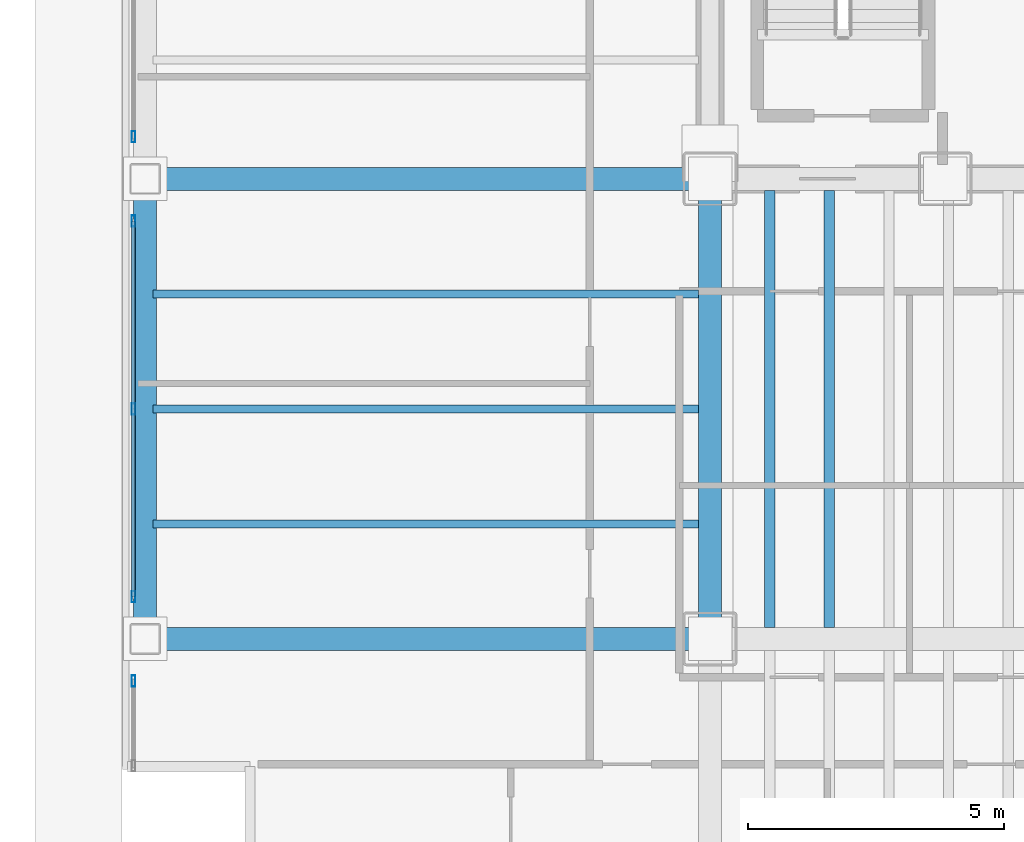
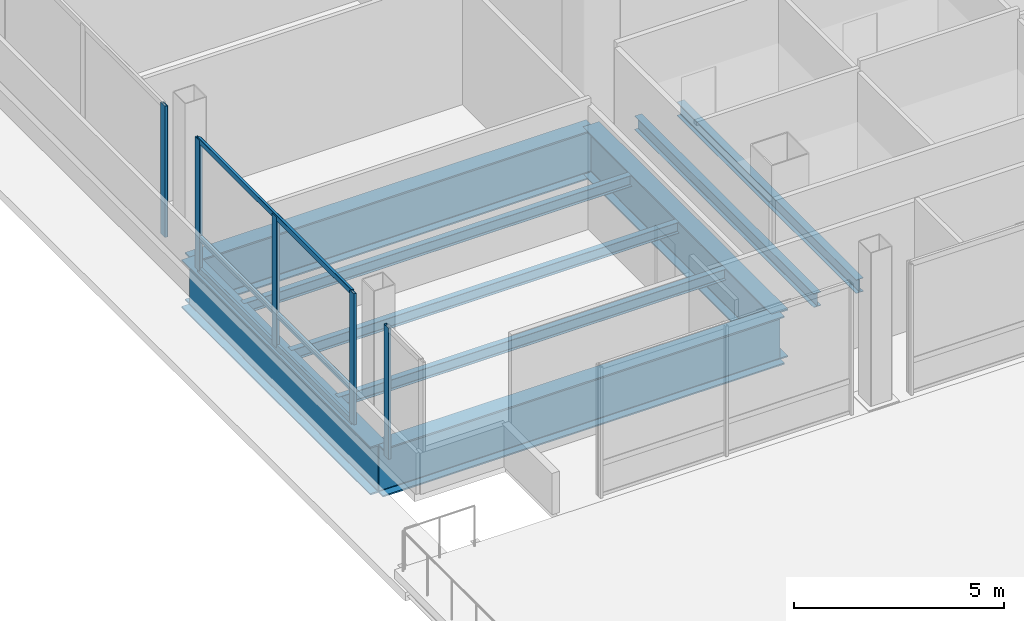
# One storey, part 8 of 34: 9 beams, 8 members, 3 elements without a shape of their own.
"""IFC4 building model written with IfcOpenShell, lengths in metres."""

from ifc_helpers import new_model, si_unit, direction, frame, origin, origin_2d, place, context, subcontext, project, spatial, hollow_rectangle, i_section, extrude, material, material_profile, profile_set, type_object, element, aggregate, save


model = new_model("IFC4")

# Units and contexts
model_context = context("Model", 3, precision=1e-05, world=origin(), true_north=direction((0.0, 1.0)))
body_context = subcontext(model_context, "Body", "Model", "MODEL_VIEW")
ifc_project = project(units=[si_unit("LENGTHUNIT", "METRE"), si_unit("AREAUNIT", "SQUARE_METRE"), si_unit("VOLUMEUNIT", "CUBIC_METRE"), si_unit("PLANEANGLEUNIT", "RADIAN"), si_unit("MASSUNIT", "GRAM", prefix="KILO")], contexts=[model_context])

# Site, building, storey
site_placement = place(None, origin())
site = spatial("IfcSite", under=ifc_project, at=site_placement, CompositionType="ELEMENT")
building_placement = place(site_placement, origin())
building = spatial("IfcBuilding", under=site, at=building_placement, Name="Noeulbin Bourse Tower", CompositionType="ELEMENT")
storey_placement = place(building_placement, frame((0.0, 0.0, 22.0)))
storey = spatial("IfcBuildingStorey", under=building, at=storey_placement, Name="L05", CompositionType="ELEMENT", Elevation=22.0)

# Beams
ifc_material_1 = material(Name="Steel S355", Category="steel")
ifc_material_profile_1 = material_profile(ifc_material_1, i_section(OverallWidth=0.159912109375, OverallDepth=0.320068359375, WebThickness=0.006591796875, FlangeThickness=0.010009765625, FilletRadius=0.012939453125, at=origin_2d()), Name="H-320x160x6.5x10", Category="LoadBearing")
ifc_profile_set_1 = profile_set([ifc_material_profile_1], Name="Steel S355")
beam_type_1 = type_object("IfcBeamType", Name="BM-JST-320", PredefinedType="JOIST", material=ifc_profile_set_1)
for number, where, z_axis, x_axis, name in (
    (1, (2.60009765625, 22.25, -0.39990234375), (1.0, 0.0, 0.0), (0.0, 1.0, 0.0), "Wing Composite Joist L05-W70"),
    (2, (2.60009765625, 24.5, -0.39990234375), (1.0, 0.0, 0.0), (0.0, 1.0, 0.0), "Wing Composite Joist L05-W71"),
    (3, (2.60009765625, 26.75, -0.39990234375), (1.0, 0.0, 0.0), (0.0, 1.0, 0.0), "Wing Composite Joist L05-W72"),
):
    element("IfcBeam", number, at=place(storey_placement, frame(where, z_axis=z_axis, x_axis=x_axis)), inside=storey, type_object=beam_type_1, Name=name, PredefinedType="JOIST", context=body_context, shape_type="SweptSolid", body=[
        extrude(i_section(OverallWidth=0.159912109375, OverallDepth=0.320068359375, WebThickness=0.006591796875, FlangeThickness=0.010009765625, FilletRadius=0.012939453125, at=origin_2d()), origin(), (0.0, 0.0, 1.0), 10.6748046875),
    ])
ifc_material_profile_2 = material_profile(ifc_material_1, i_section(OverallWidth=0.199951171875, OverallDepth=0.39990234375, WebThickness=0.008056640625, FlangeThickness=0.012939453125, FilletRadius=0.01611328125, at=origin_2d()), Name="H-400x200x8x13", Category="LoadBearing")
ifc_profile_set_2 = profile_set([ifc_material_profile_2], Name="Steel S355")
beam_type_2 = type_object("IfcBeamType", Name="BM-SEC-400", PredefinedType="BEAM", material=ifc_profile_set_2)
for number, where, z_axis, x_axis, name in (
    (4, (14.666748046875, 20.22509765625, -0.43994140625), (0.0, 1.0, 0.0), (-1.0, 0.0, 0.0), "Tower Composite Joist L05-02"),
    (5, (15.833251953125, 20.22509765625, -0.43994140625), (0.0, 1.0, 0.0), (-1.0, 0.0, 0.0), "Tower Composite Joist L05-05"),
):
    element("IfcBeam", number, at=place(storey_placement, frame(where, z_axis=z_axis, x_axis=x_axis)), inside=storey, type_object=beam_type_2, Name=name, PredefinedType="BEAM", context=body_context, shape_type="SweptSolid", body=[
        extrude(i_section(OverallWidth=0.199951171875, OverallDepth=0.39990234375, WebThickness=0.008056640625, FlangeThickness=0.012939453125, FilletRadius=0.01611328125, at=origin_2d()), origin(), (0.0, 0.0, 1.0), 8.5498046875),
    ])
ifc_material_2 = material(Name="Steel S460", Category="steel")
ifc_material_profile_3 = material_profile(ifc_material_2, i_section(OverallWidth=0.449951171875, OverallDepth=1.39990234375, WebThickness=0.02392578125, FlangeThickness=0.0400390625, FilletRadius=0.02392578125, at=origin_2d()), Name="PG-1400x450x24x40", Category="LoadBearing")
ifc_profile_set_3 = profile_set([ifc_material_profile_3], Name="Steel S460")
beam_type_3 = type_object("IfcBeamType", Name="BM-TRF-1400", PredefinedType="USERDEFINED", material=ifc_profile_set_3)
for number, where, z_axis, x_axis, name in (
    (6, (2.449951171875, 20.0, -0.93994140625), (1.0, 0.0, 0.0), (0.0, 1.0, 0.0), "Tower Primary Girder EW L05-1.1"),
    (7, (2.449951171875, 29.0, -0.93994140625), (1.0, 0.0, 0.0), (0.0, 1.0, 0.0), "Tower Primary Girder EW L05-2.1"),
):
    element("IfcBeam", number, at=place(storey_placement, frame(where, z_axis=z_axis, x_axis=x_axis)), inside=storey, type_object=beam_type_3, Name=name, ObjectType="GIRDER", PredefinedType="USERDEFINED", context=body_context, shape_type="SweptSolid", body=[
        extrude(i_section(OverallWidth=0.449951171875, OverallDepth=1.39990234375, WebThickness=0.02392578125, FlangeThickness=0.0400390625, FilletRadius=0.02392578125, at=origin_2d()), origin(), (0.0, 0.0, 1.0), 11.050048828125),
    ])
for number, where, z_axis, x_axis, name in (
    (8, (13.5, 20.0, -0.93994140625), (0.0, 1.0, 0.0), (-1.0, 0.0, 0.0), "Tower Primary Girder NS L05-1.2"),
    (9, (2.449951171875, 20.0, -0.93994140625), (0.0, 1.0, 0.0), (-1.0, 0.0, 0.0), "West Spandrel L05-1"),
):
    element("IfcBeam", number, at=place(storey_placement, frame(where, z_axis=z_axis, x_axis=x_axis)), inside=storey, type_object=beam_type_3, Name=name, ObjectType="GIRDER", PredefinedType="USERDEFINED", context=body_context, shape_type="SweptSolid", body=[
        extrude(i_section(OverallWidth=0.449951171875, OverallDepth=1.39990234375, WebThickness=0.02392578125, FlangeThickness=0.0400390625, FilletRadius=0.02392578125, at=origin_2d()), origin(), (0.0, 0.0, 1.0), 9.0),
    ])

# Curtain wall, member
ifc_material_3 = material(Name="Dark Solar-Control Double Glazing", Category="glass")
curtain_wall_type = type_object("IfcCurtainWallType", Name="CW-SYS-2", PredefinedType="NOTDEFINED", material=ifc_material_3)
curtain_wall_1_placement = place(storey_placement, origin())
curtain_wall_1 = element("IfcCurtainWall", 10, at=curtain_wall_1_placement, inside=storey, type_object=curtain_wall_type, Name="Unitised Curtain Wall CW-L05-W-S1", PredefinedType="NOTDEFINED")
ifc_material_4 = material(Name="Anodised Aluminium 6063-T6", Category="aluminium")
ifc_material_profile_4 = material_profile(ifc_material_4, hollow_rectangle(XDim=0.074951171875, YDim=0.219970703125, WallThickness=0.0048828125, InnerFilletRadius=0.00244140625, OuterFilletRadius=0.0048828125, at=origin_2d()), Name="ALU-MULL-75x220x5", Category="LoadBearing")
ifc_profile_set_4 = profile_set([ifc_material_profile_4], Name="Anodised Aluminium 6063-T6")
member_type_1 = type_object("IfcMemberType", Name="CW-SYS-2-MUL", PredefinedType="MULLION", material=ifc_profile_set_4)
member_1_placement = place(storey_placement, frame((2.219970703125, 19.175048828125, -0.02001953125), z_axis=(0.0, 0.0, 1.0), x_axis=(1.0, 0.0, 0.0)))
member_1 = element("IfcMember", 11, at=member_1_placement, type_object=member_type_1, Name="Curtain Wall Mullion CW-L05-W-S1-M01", PredefinedType="MULLION", context=body_context, shape_type="SweptSolid", body=[
    extrude(hollow_rectangle(XDim=0.074951171875, YDim=0.219970703125, WallThickness=0.0048828125, InnerFilletRadius=0.00244140625, OuterFilletRadius=0.0048828125, at=origin_2d()), origin(), (0.0, 0.0, 1.0), 3.820068359375),
])
aggregate(curtain_wall_1, [member_1])

# Curtain wall, members
curtain_wall_2_placement = place(storey_placement, origin())
curtain_wall_2 = element("IfcCurtainWall", 12, at=curtain_wall_2_placement, inside=storey, type_object=curtain_wall_type, Name="Unitised Curtain Wall CW-L05-W-S2", PredefinedType="NOTDEFINED")
member_2_placement = place(storey_placement, frame((2.219970703125, 20.824951171875, -0.02001953125), z_axis=(0.0, 0.0, 1.0), x_axis=(1.0, 0.0, 0.0)))
member_2 = element("IfcMember", 13, at=member_2_placement, type_object=member_type_1, Name="Curtain Wall Mullion CW-L05-W-S2-M00", PredefinedType="MULLION", context=body_context, shape_type="SweptSolid", body=[
    extrude(hollow_rectangle(XDim=0.074951171875, YDim=0.219970703125, WallThickness=0.0048828125, InnerFilletRadius=0.00244140625, OuterFilletRadius=0.0048828125, at=origin_2d()), origin(), (0.0, 0.0, 1.0), 3.820068359375),
])
member_3_placement = place(storey_placement, frame((2.219970703125, 24.5, -0.02001953125), z_axis=(0.0, 0.0, 1.0), x_axis=(1.0, 0.0, 0.0)))
member_3 = element("IfcMember", 14, at=member_3_placement, type_object=member_type_1, Name="Curtain Wall Mullion CW-L05-W-S2-M01", PredefinedType="MULLION", context=body_context, shape_type="SweptSolid", body=[
    extrude(hollow_rectangle(XDim=0.074951171875, YDim=0.219970703125, WallThickness=0.0048828125, InnerFilletRadius=0.00244140625, OuterFilletRadius=0.0048828125, at=origin_2d()), origin(), (0.0, 0.0, 1.0), 3.820068359375),
])
member_4_placement = place(storey_placement, frame((2.219970703125, 28.175048828125, -0.02001953125), z_axis=(0.0, 0.0, 1.0), x_axis=(1.0, 0.0, 0.0)))
member_4 = element("IfcMember", 15, at=member_4_placement, type_object=member_type_1, Name="Curtain Wall Mullion CW-L05-W-S2-M02", PredefinedType="MULLION", context=body_context, shape_type="SweptSolid", body=[
    extrude(hollow_rectangle(XDim=0.074951171875, YDim=0.219970703125, WallThickness=0.0048828125, InnerFilletRadius=0.00244140625, OuterFilletRadius=0.0048828125, at=origin_2d()), origin(), (0.0, 0.0, 1.0), 3.820068359375),
])

# Curtain wall, member
curtain_wall_3_placement = place(storey_placement, origin())
curtain_wall_3 = element("IfcCurtainWall", 16, at=curtain_wall_3_placement, inside=storey, type_object=curtain_wall_type, Name="Unitised Curtain Wall CW-L05-W-S3", PredefinedType="NOTDEFINED")
member_5_placement = place(storey_placement, frame((2.219970703125, 29.824951171875, -0.02001953125), z_axis=(0.0, 0.0, 1.0), x_axis=(1.0, 0.0, 0.0)))
member_5 = element("IfcMember", 17, at=member_5_placement, type_object=member_type_1, Name="Curtain Wall Mullion CW-L05-W-S3-M00", PredefinedType="MULLION", context=body_context, shape_type="SweptSolid", body=[
    extrude(hollow_rectangle(XDim=0.074951171875, YDim=0.219970703125, WallThickness=0.0048828125, InnerFilletRadius=0.00244140625, OuterFilletRadius=0.0048828125, at=origin_2d()), origin(), (0.0, 0.0, 1.0), 3.820068359375),
])
aggregate(curtain_wall_3, [member_5])

# Member
ifc_material_profile_5 = material_profile(ifc_material_4, hollow_rectangle(XDim=0.074951171875, YDim=0.159912109375, WallThickness=0.0048828125, InnerFilletRadius=0.00244140625, OuterFilletRadius=0.0048828125, at=origin_2d()), Name="ALU-TRAN-75x160x5", Category="LoadBearing")
ifc_profile_set_5 = profile_set([ifc_material_profile_5], Name="Anodised Aluminium 6063-T6")
member_type_2 = type_object("IfcMemberType", Name="CW-SYS-2-TRN", PredefinedType="USERDEFINED", material=ifc_profile_set_5)
member_6_placement = place(storey_placement, frame((2.219970703125, 20.8349609375, 0.010009765625), z_axis=(0.0, 1.0, 0.0), x_axis=(-1.0, 0.0, 0.0)))
member_6 = element("IfcMember", 18, at=member_6_placement, type_object=member_type_2, Name="Curtain Wall Transom CW-L05-W-S2-T00", ObjectType="TRANSOM", PredefinedType="USERDEFINED", context=body_context, shape_type="SweptSolid", body=[
    extrude(hollow_rectangle(XDim=0.074951171875, YDim=0.159912109375, WallThickness=0.0048828125, InnerFilletRadius=0.00244140625, OuterFilletRadius=0.0048828125, at=origin_2d()), origin(), (0.0, 0.0, 1.0), 7.330078125),
])

member_7_placement = place(storey_placement, frame((2.219970703125, 20.8349609375, 0.949951171875), z_axis=(0.0, 1.0, 0.0), x_axis=(-1.0, 0.0, 0.0)))
member_7 = element("IfcMember", 19, at=member_7_placement, type_object=member_type_2, Name="Curtain Wall Transom CW-L05-W-S2-T01", ObjectType="TRANSOM", PredefinedType="USERDEFINED", context=body_context, shape_type="SweptSolid", body=[
    extrude(hollow_rectangle(XDim=0.074951171875, YDim=0.159912109375, WallThickness=0.0048828125, InnerFilletRadius=0.00244140625, OuterFilletRadius=0.0048828125, at=origin_2d()), origin(), (0.0, 0.0, 1.0), 7.330078125),
])

member_8_placement = place(storey_placement, frame((2.219970703125, 20.8349609375, 3.77001953125), z_axis=(0.0, 1.0, 0.0), x_axis=(-1.0, 0.0, 0.0)))
member_8 = element("IfcMember", 20, at=member_8_placement, type_object=member_type_2, Name="Curtain Wall Transom CW-L05-W-S2-T02", ObjectType="TRANSOM", PredefinedType="USERDEFINED", context=body_context, shape_type="SweptSolid", body=[
    extrude(hollow_rectangle(XDim=0.074951171875, YDim=0.159912109375, WallThickness=0.0048828125, InnerFilletRadius=0.00244140625, OuterFilletRadius=0.0048828125, at=origin_2d()), origin(), (0.0, 0.0, 1.0), 7.330078125),
])

aggregate(curtain_wall_2, [member_2, member_3, member_4, member_6, member_7, member_8])

save(model, "model.ifc")
